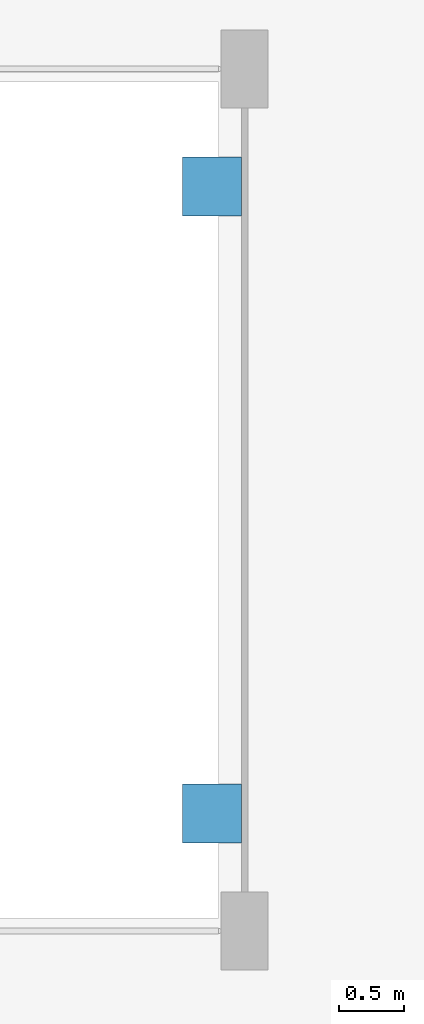
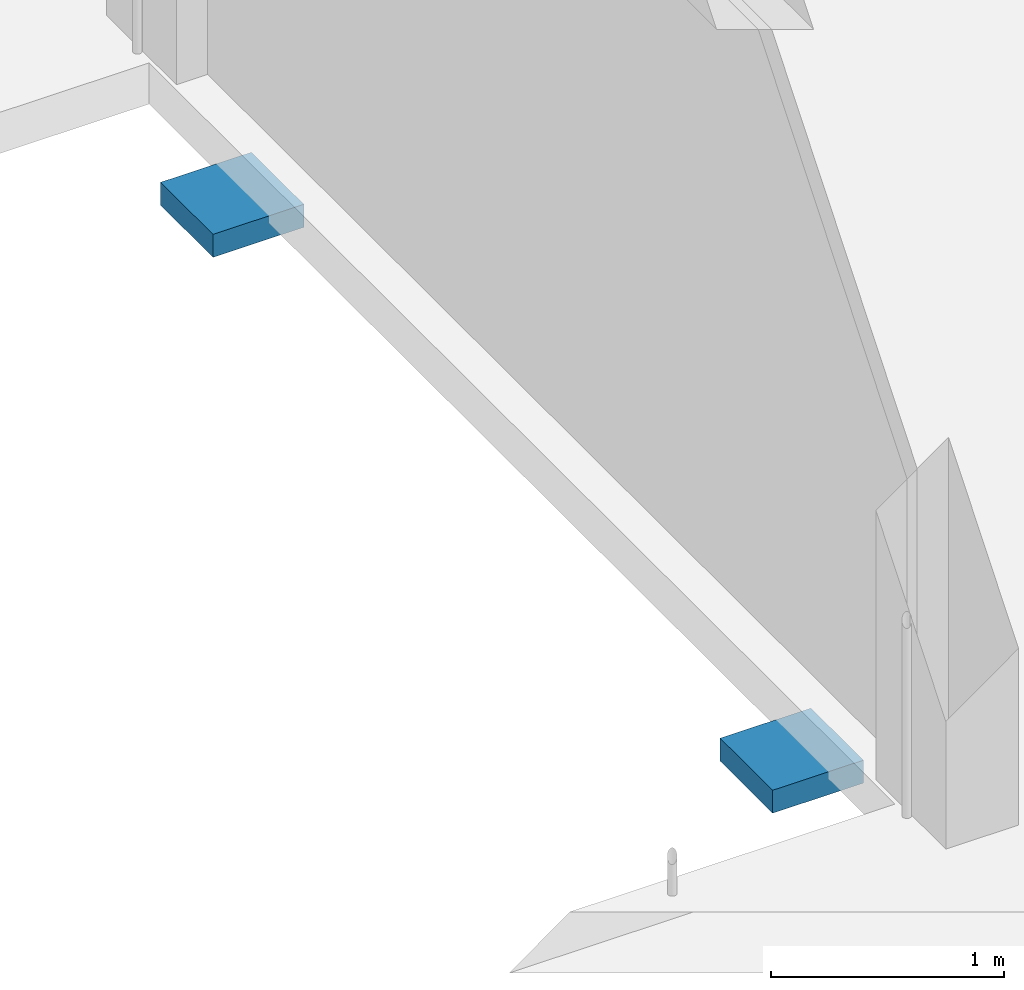
# One storey, part 10 of 16: 2 discrete accessories.
"""IFC4 building model written with IfcOpenShell, lengths in metres."""

from ifc_helpers import new_model, si_unit, direction, frame, origin, origin_2d, place, context, subcontext, project, spatial, rectangle, extrude, source, transform, mapped, material, type_object, element, save


model = new_model("IFC4")

# Units and contexts
model_context = context("Model", 3, precision=1e-05, world=origin(), true_north=direction((0.0, 1.0)))
body_context = subcontext(model_context, "Body", "Model", "MODEL_VIEW")
ifc_project = project(units=[si_unit("LENGTHUNIT", "METRE"), si_unit("AREAUNIT", "SQUARE_METRE"), si_unit("VOLUMEUNIT", "CUBIC_METRE"), si_unit("PLANEANGLEUNIT", "RADIAN"), si_unit("MASSUNIT", "GRAM", prefix="KILO")], contexts=[model_context])

# Site, building, storey
site_placement = place(None, origin())
site = spatial("IfcSite", under=ifc_project, at=site_placement, CompositionType="ELEMENT")
building_placement = place(site_placement, origin())
building = spatial("IfcBuilding", under=site, at=building_placement, Name="Qafzar Sky-Pleat Residences", CompositionType="ELEMENT")
storey_placement = place(building_placement, origin())
storey = spatial("IfcBuildingStorey", under=building, at=storey_placement, Name="L00", CompositionType="ELEMENT", Elevation=0.0)

# Discrete accessories
ifc_material = material(Name="Steel S355 and PTFE bearing", Category="steel")
discrete_accessory_type = type_object("IfcDiscreteAccessoryType", Name="ACC-BEARING-RJ1", PredefinedType="USERDEFINED", material=ifc_material)
shared_shape = source(origin(), body_context, "Body", "SweptSolid", [
    extrude(rectangle(XDim=0.449951171875, YDim=0.449951171875, at=origin_2d()), origin(), (0.0, 0.0, 1.0), 0.1201171875),
])
for number, where, z_axis, x_axis, name in (
    (1, (55.449951171875, 5.39990234375, -0.300048828125), (0.0, 0.0, 1.0), (1.0, 0.0, 0.0), "Ramp Plaza Movement-Joint Sliding Bearing RJ-1.1"),
    (2, (55.449951171875, 10.199951171875, -0.300048828125), (0.0, 0.0, 1.0), (1.0, 0.0, 0.0), "Ramp Plaza Movement-Joint Sliding Bearing RJ-1.2"),
):
    element("IfcDiscreteAccessory", number, at=place(storey_placement, frame(where, z_axis=z_axis, x_axis=x_axis)), inside=storey, type_object=discrete_accessory_type, Name=name, ObjectType="BEARING", PredefinedType="USERDEFINED", context=body_context, shape_type="MappedRepresentation", body=[
        mapped(shared_shape, transform((0.0, 0.0, 0.0), x_axis=(1.0, 0.0, 0.0), y_axis=(0.0, 1.0, 0.0), z_axis=(0.0, 0.0, 1.0), scale=1.0)),
    ])

save(model, "model.ifc")
